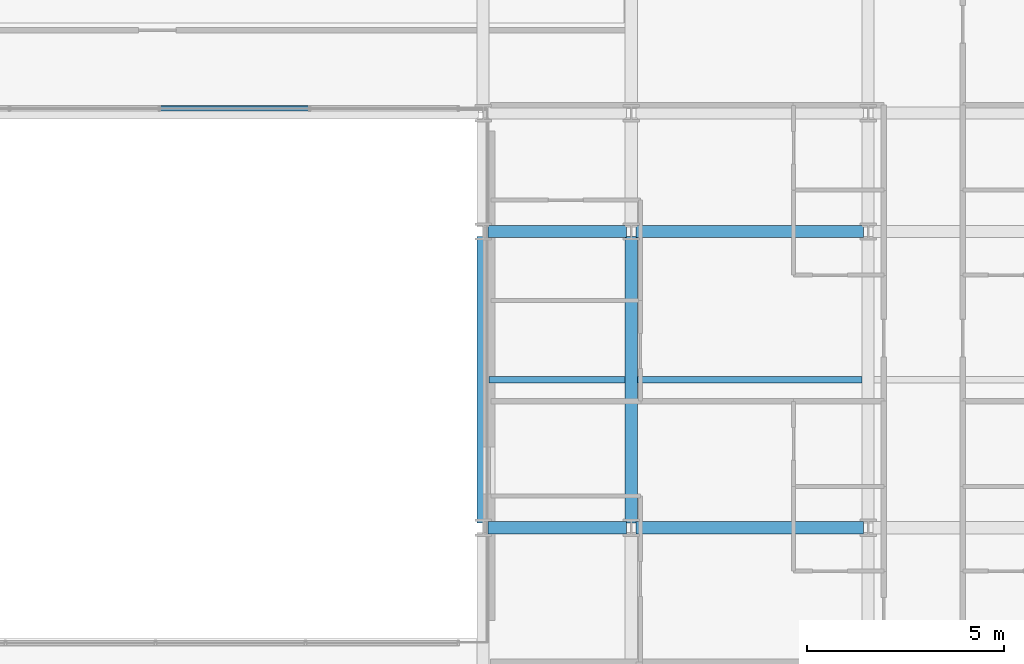
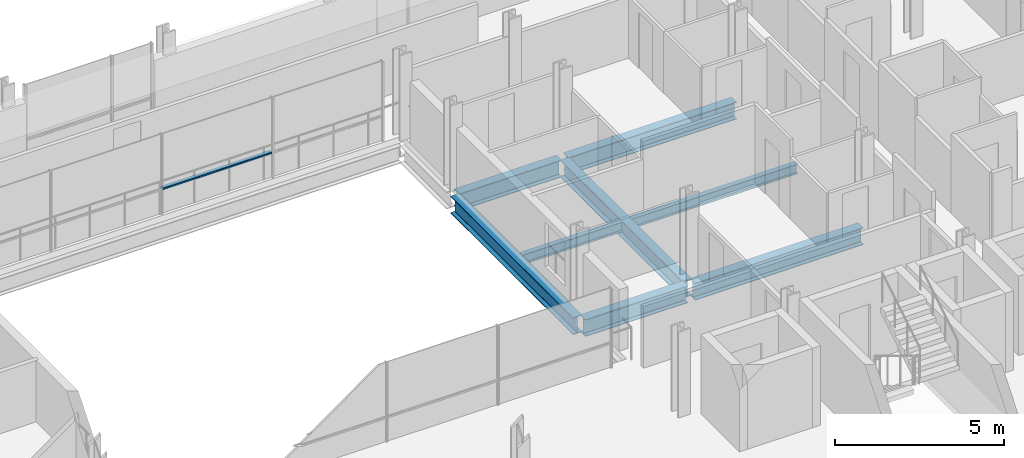
# One storey, part 16 of 39: 8 beams, 1 member, 1 element without a shape of its own.
"""IFC4 building model written with IfcOpenShell, lengths in metres."""

from ifc_helpers import new_model, si_unit, direction, frame, origin, origin_2d, place, context, subcontext, project, spatial, hollow_rectangle, i_section, extrude, material, layer, layer_set, material_profile, profile_set, type_object, element, aggregate, save


model = new_model("IFC4")

# Units and contexts
model_context = context("Model", 3, precision=1e-05, world=origin(), true_north=direction((0.0, 1.0)))
body_context = subcontext(model_context, "Body", "Model", "MODEL_VIEW")
ifc_project = project(units=[si_unit("LENGTHUNIT", "METRE"), si_unit("AREAUNIT", "SQUARE_METRE"), si_unit("VOLUMEUNIT", "CUBIC_METRE"), si_unit("PLANEANGLEUNIT", "RADIAN"), si_unit("MASSUNIT", "GRAM", prefix="KILO")], contexts=[model_context])

# Site, building, storey
site_placement = place(None, origin())
site = spatial("IfcSite", under=ifc_project, at=site_placement, CompositionType="ELEMENT")
building_placement = place(site_placement, origin())
building = spatial("IfcBuilding", under=site, at=building_placement, Name="Brevholm Reach", CompositionType="ELEMENT")
storey_placement = place(building_placement, frame((0.0, 0.0, 83.800048828125)))
storey = spatial("IfcBuildingStorey", under=building, at=storey_placement, Name="L24", CompositionType="ELEMENT", Elevation=83.800048828125)

# Beams
ifc_material_1 = material(Name="Structural Steel S355J2", Category="steel")
ifc_material_profile_1 = material_profile(ifc_material_1, i_section(OverallWidth=0.17138671875, OverallDepth=0.35498046875, WebThickness=0.00732421875, FlangeThickness=0.011474609375, FilletRadius=0.01025390625, at=origin_2d()), Name="UKB 356x171x51")
ifc_profile_set_1 = profile_set([ifc_material_profile_1], Name="Structural Steel S355J2")
beam_type_1 = type_object("IfcBeamType", Name="BM-B356", PredefinedType="BEAM", material=ifc_profile_set_1)
beam_1_placement = place(storey_placement, frame((38.403564453125, 19.75, -0.407470703125), z_axis=(1.0, 0.0, 0.0), x_axis=(0.0, 1.0, 0.0)))
element("IfcBeam", 1, at=beam_1_placement, inside=storey, type_object=beam_type_1, Name="L24 Composite Secondary Floor Beam", PredefinedType="BEAM", context=body_context, shape_type="SweptSolid", body=[
    extrude(i_section(OverallWidth=0.17138671875, OverallDepth=0.35498046875, WebThickness=0.00732421875, FlangeThickness=0.011474609375, FilletRadius=0.01025390625, at=origin_2d()), origin(), (0.0, 0.0, 1.0), 3.44287109375),
])
beam_2_placement = place(storey_placement, frame((42.153564453125, 19.75, -0.407470703125), z_axis=(1.0, 0.0, 0.0), x_axis=(0.0, 1.0, 0.0)))
element("IfcBeam", 2, at=beam_2_placement, inside=storey, type_object=beam_type_1, Name="L24 Composite Secondary Floor Beam", PredefinedType="BEAM", context=body_context, shape_type="SweptSolid", body=[
    extrude(i_section(OverallWidth=0.17138671875, OverallDepth=0.35498046875, WebThickness=0.00732421875, FlangeThickness=0.011474609375, FilletRadius=0.01025390625, at=origin_2d()), origin(), (0.0, 0.0, 1.0), 5.69287109375),
])
ifc_material_2 = material(Name="Structural Steel S355J2", Category="steel")
ifc_material_profile_2 = material_profile(ifc_material_2, i_section(OverallWidth=0.30712890625, OverallDepth=0.6201171875, WebThickness=0.01416015625, FlangeThickness=0.023681640625, FilletRadius=0.0166015625, at=origin_2d()), Name="UKB 610x305x179")
ifc_profile_set_2 = profile_set([ifc_material_profile_2], Name="Structural Steel S355J2")
beam_type_2 = type_object("IfcBeamType", Name="BM-UKB610H", PredefinedType="USERDEFINED", material=ifc_profile_set_2)
beam_3_placement = place(storey_placement, frame((38.3701171875, 16.0, -0.5400390625), z_axis=(1.0, 0.0, 0.0), x_axis=(0.0, 1.0, 0.0)))
element("IfcBeam", 3, at=beam_3_placement, inside=storey, type_object=beam_type_2, Name="L24 G-06 Framing Beam", ObjectType="GIRDER", PredefinedType="USERDEFINED", context=body_context, shape_type="SweptSolid", body=[
    extrude(i_section(OverallWidth=0.30712890625, OverallDepth=0.6201171875, WebThickness=0.01416015625, FlangeThickness=0.023681640625, FilletRadius=0.0166015625, at=origin_2d()), origin(), (0.0, 0.0, 1.0), 3.509765625),
])
beam_4_placement = place(storey_placement, frame((42.1201171875, 16.0, -0.5400390625), z_axis=(1.0, 0.0, 0.0), x_axis=(0.0, 1.0, 0.0)))
element("IfcBeam", 4, at=beam_4_placement, inside=storey, type_object=beam_type_2, Name="L24 G-06 Framing Beam", ObjectType="GIRDER", PredefinedType="USERDEFINED", context=body_context, shape_type="SweptSolid", body=[
    extrude(i_section(OverallWidth=0.30712890625, OverallDepth=0.6201171875, WebThickness=0.01416015625, FlangeThickness=0.023681640625, FilletRadius=0.0166015625, at=origin_2d()), origin(), (0.0, 0.0, 1.0), 5.759765625),
])
beam_5_placement = place(storey_placement, frame((38.3701171875, 23.5, -0.5400390625), z_axis=(1.0, 0.0, 0.0), x_axis=(0.0, 1.0, 0.0)))
element("IfcBeam", 5, at=beam_5_placement, inside=storey, type_object=beam_type_2, Name="L24 G-06 Framing Beam", ObjectType="GIRDER", PredefinedType="USERDEFINED", context=body_context, shape_type="SweptSolid", body=[
    extrude(i_section(OverallWidth=0.30712890625, OverallDepth=0.6201171875, WebThickness=0.01416015625, FlangeThickness=0.023681640625, FilletRadius=0.0166015625, at=origin_2d()), origin(), (0.0, 0.0, 1.0), 3.509765625),
])
beam_6_placement = place(storey_placement, frame((42.1201171875, 23.5, -0.5400390625), z_axis=(1.0, 0.0, 0.0), x_axis=(0.0, 1.0, 0.0)))
element("IfcBeam", 6, at=beam_6_placement, inside=storey, type_object=beam_type_2, Name="L24 G-06 Framing Beam", ObjectType="GIRDER", PredefinedType="USERDEFINED", context=body_context, shape_type="SweptSolid", body=[
    extrude(i_section(OverallWidth=0.30712890625, OverallDepth=0.6201171875, WebThickness=0.01416015625, FlangeThickness=0.023681640625, FilletRadius=0.0166015625, at=origin_2d()), origin(), (0.0, 0.0, 1.0), 5.759765625),
])
for number, where, z_axis, x_axis, name in (
    (7, (38.25, 16.1201171875, -0.5400390625), (0.0, 1.0, 0.0), (-1.0, 0.0, 0.0), "L24 G-06 Framing Beam"),
    (8, (42.0, 16.1201171875, -0.5400390625), (0.0, 1.0, 0.0), (-1.0, 0.0, 0.0), "L24 G-06 Framing Beam"),
):
    element("IfcBeam", number, at=place(storey_placement, frame(where, z_axis=z_axis, x_axis=x_axis)), inside=storey, type_object=beam_type_2, Name=name, ObjectType="GIRDER", PredefinedType="USERDEFINED", context=body_context, shape_type="SweptSolid", body=[
        extrude(i_section(OverallWidth=0.30712890625, OverallDepth=0.6201171875, WebThickness=0.01416015625, FlangeThickness=0.023681640625, FilletRadius=0.0166015625, at=origin_2d()), origin(), (0.0, 0.0, 1.0), 7.259765625),
    ])

# Curtain wall, member
ifc_material_3 = material(Name="Dark Anodised Aluminium 6063-T6 and Solar-Control Glass", Category="aluminium")
ifc_layer = layer(ifc_material_3, 0.139892578125)
ifc_layer_set = layer_set([ifc_layer], Name="Dark Anodised Aluminium 6063-T6 and Solar-Control Glass")
curtain_wall_type = type_object("IfcCurtainWallType", Name="CW-02", PredefinedType="NOTDEFINED", material=ifc_layer_set)
curtain_wall_placement = place(storey_placement, origin())
curtain_wall = element("IfcCurtainWall", 9, at=curtain_wall_placement, inside=storey, type_object=curtain_wall_type, Name="L24 Curtain Wall CW-02", PredefinedType="NOTDEFINED")
ifc_material_4 = material(Name="Dark Anodised Aluminium 6063-T6", Category="aluminium")
ifc_material_profile_3 = material_profile(ifc_material_4, hollow_rectangle(XDim=0.06005859375, YDim=0.139892578125, WallThickness=0.0048828125, InnerFilletRadius=0.0048828125, OuterFilletRadius=0.010009765625, at=origin_2d()), Name="RHS 140x60x5")
ifc_profile_set_3 = profile_set([ifc_material_profile_3], Name="Dark Anodised Aluminium 6063-T6")
member_type = type_object("IfcMemberType", Name="CWT-140", PredefinedType="NOTDEFINED", material=ifc_profile_set_3)
member_placement = place(storey_placement, frame((33.820068359375, 26.6201171875, 0.89990234375), z_axis=(-1.0, 0.0, 0.0), x_axis=(0.0, 0.0, 1.0)))
member = element("IfcMember", 10, at=member_placement, type_object=member_type, Name="CT-140 Transom 2.1", ObjectType="TRANSOM", PredefinedType="USERDEFINED", context=body_context, shape_type="SweptSolid", body=[
    extrude(hollow_rectangle(XDim=0.06005859375, YDim=0.139892578125, WallThickness=0.0048828125, InnerFilletRadius=0.0048828125, OuterFilletRadius=0.010009765625, at=origin_2d()), origin(), (0.0, 0.0, 1.0), 3.739990234375),
])
aggregate(curtain_wall, [member])

save(model, "model.ifc")
